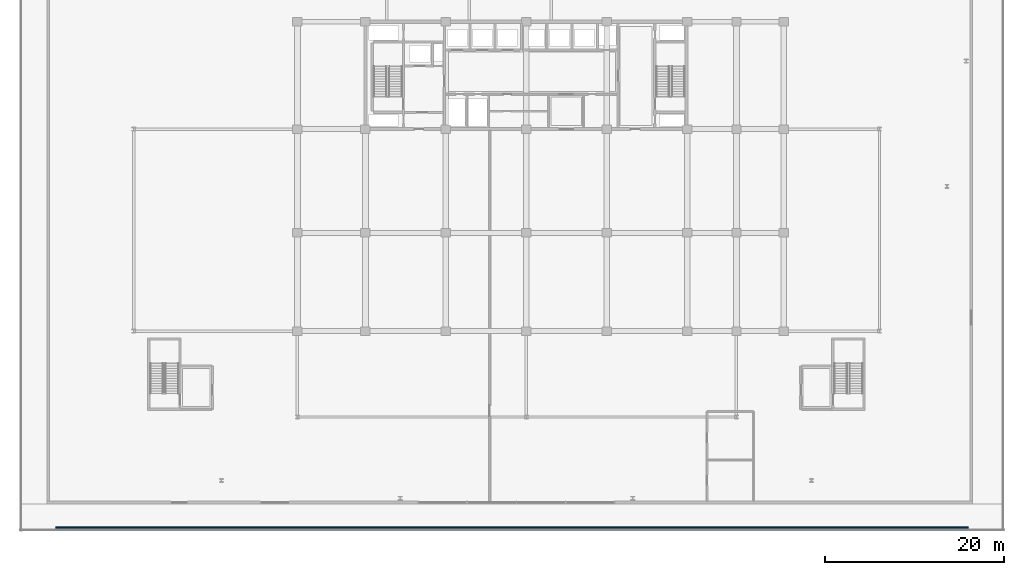
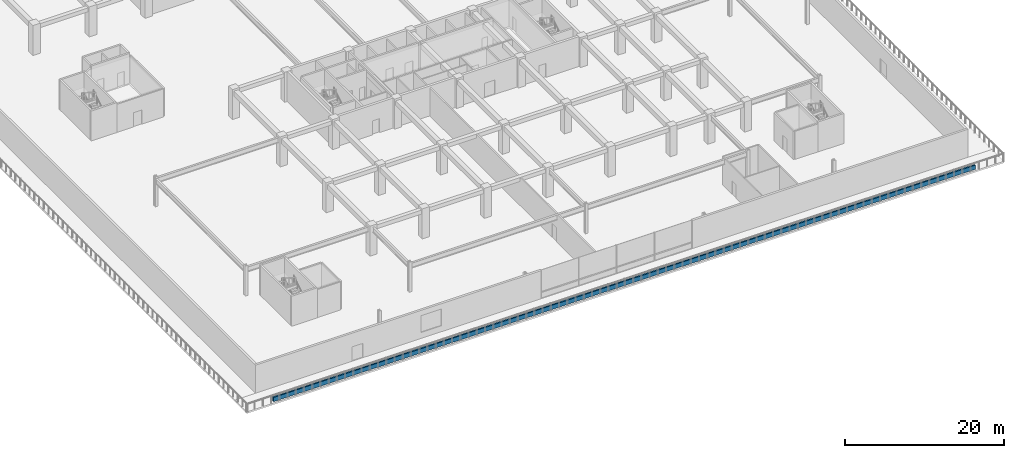
# One storey, part 19 of 45: 1 wall.
"""IFC4 building model written with IfcOpenShell, lengths in metres."""

from ifc_helpers import new_model, si_unit, direction, frame, frame_2d, origin, place, context, subcontext, project, spatial, rectangle, extrude, material, layer, layer_set, type_object, element, save


model = new_model("IFC4")

# Units and contexts
model_context = context("Model", 3, precision=1e-05, world=origin(), true_north=direction((0.0, 1.0)))
body_context = subcontext(model_context, "Body", "Model", "MODEL_VIEW")
ifc_project = project(units=[si_unit("LENGTHUNIT", "METRE"), si_unit("AREAUNIT", "SQUARE_METRE"), si_unit("VOLUMEUNIT", "CUBIC_METRE"), si_unit("PLANEANGLEUNIT", "RADIAN"), si_unit("MASSUNIT", "GRAM", prefix="KILO")], contexts=[model_context])

# Site, building, storey
site_placement = place(None, origin())
site = spatial("IfcSite", under=ifc_project, at=site_placement, CompositionType="ELEMENT")
building_placement = place(site_placement, origin())
building = spatial("IfcBuilding", under=site, at=building_placement, Name="Korimba Cascade Residences", CompositionType="ELEMENT")
storey_placement = place(building_placement, frame((0.0, 0.0, 5.39990234375)))
storey = spatial("IfcBuildingStorey", under=building, at=storey_placement, Name="L01", CompositionType="ELEMENT", Elevation=5.39990234375)

# Wall
ifc_material = material(Name="Precast concrete C40/50", Category="concrete")
ifc_layer = layer(ifc_material, 0.199951171875)
ifc_layer_set = layer_set([ifc_layer], Name="Precast concrete C40/50")
wall_type = type_object("IfcWallType", Name="EW-PLANTER-200", PredefinedType="PARAPET", material=ifc_layer_set)
wall_placement = place(storey_placement, frame((47.5, -26.14990234375, 0.0), z_axis=(0.0, 0.0, 1.0), x_axis=(1.0, 0.0, 0.0)))
element("IfcWall", 1, at=wall_placement, inside=storey, type_object=wall_type, Name="L01 Cascading Terrace Stone PLANTER Box S", PredefinedType="PARAPET", context=body_context, shape_type="SweptSolid", body=[
    extrude(rectangle(XDim=102.0, YDim=0.199951171875, at=frame_2d((51.0, 0.0))), origin(), (0.0, 0.0, 1.0), 0.650146484375),
])

save(model, "model.ifc")
